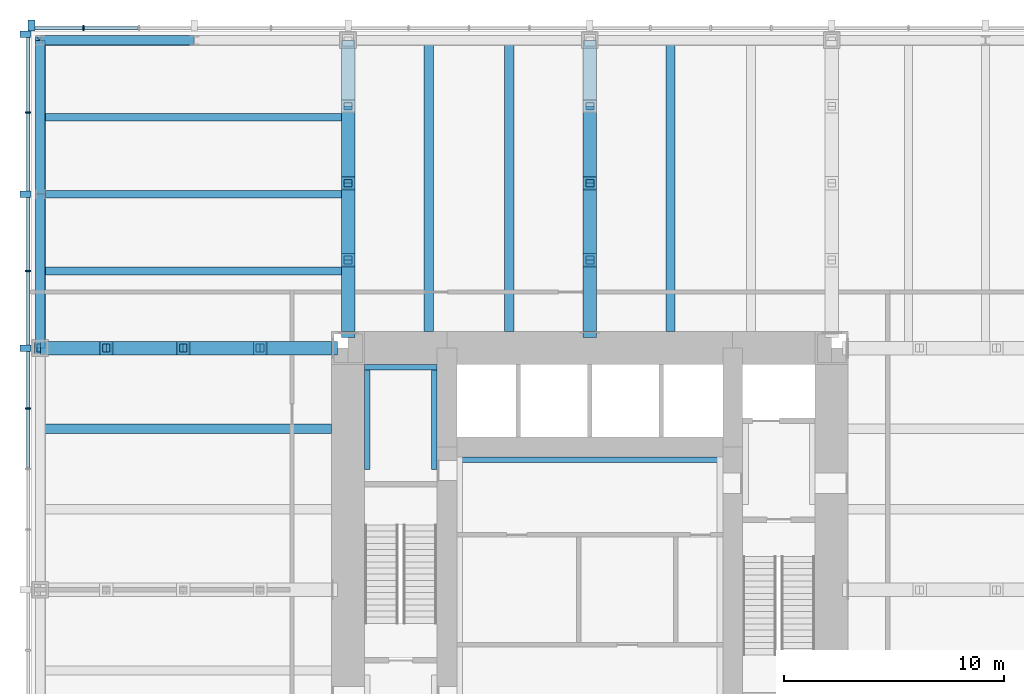
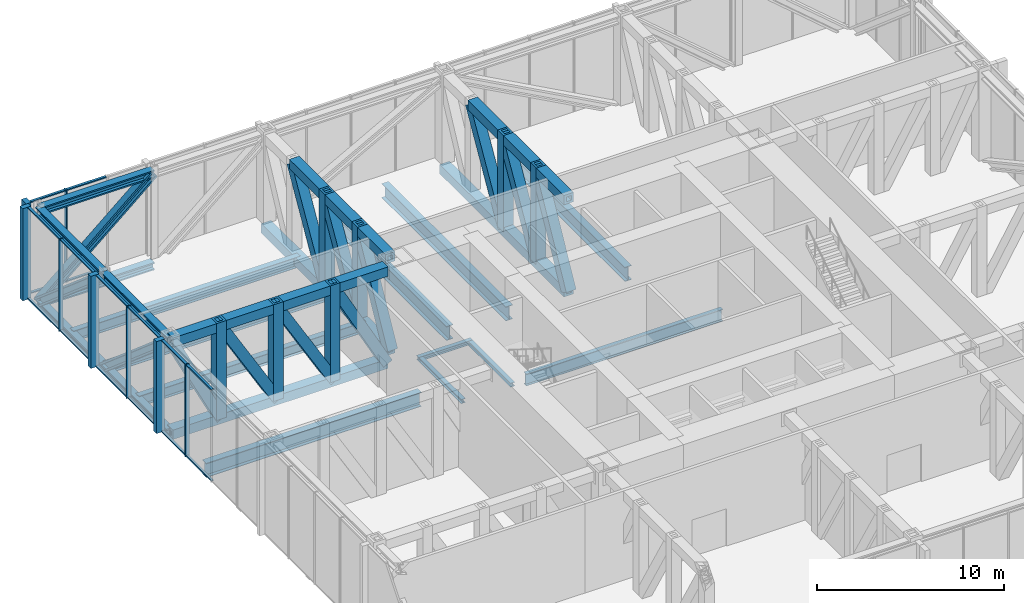
# One storey, part 7 of 13: 44 members, 30 beams, 2 elements without a shape of their own.
"""IFC4 building model written with IfcOpenShell, lengths in metres."""

from ifc_helpers import new_model, si_unit, direction, frame, origin, origin_2d, place, context, subcontext, project, spatial, rectangle, hollow_rectangle, i_section, extrude, material, material_profile, profile_set, type_object, element, aggregate, save


model = new_model("IFC4")

# Units and contexts
model_context = context("Model", 3, precision=1e-05, world=origin(), true_north=direction((0.0, 1.0)))
body_context = subcontext(model_context, "Body", "Model", "MODEL_VIEW")
ifc_project = project(units=[si_unit("LENGTHUNIT", "METRE"), si_unit("AREAUNIT", "SQUARE_METRE"), si_unit("VOLUMEUNIT", "CUBIC_METRE"), si_unit("PLANEANGLEUNIT", "RADIAN"), si_unit("MASSUNIT", "GRAM", prefix="KILO")], contexts=[model_context])

# Site, building, storey
site_placement = place(None, origin())
site = spatial("IfcSite", under=ifc_project, at=site_placement, CompositionType="ELEMENT")
building_placement = place(site_placement, origin())
building = spatial("IfcBuilding", under=site, at=building_placement, Name="Trevanion Tower", CompositionType="ELEMENT")
storey_placement = place(building_placement, frame((0.0, 0.0, 89.800048828125)))
storey = spatial("IfcBuildingStorey", under=building, at=storey_placement, Name="L21", CompositionType="ELEMENT", Elevation=89.800048828125)

# Beams
ifc_material_1 = material(Name="Steel ASTM A992 Grade 50", Category="steel")
ifc_material_profile_1 = material_profile(ifc_material_1, i_section(OverallWidth=0.419189453125, OverallDepth=0.927001953125, WebThickness=0.019287109375, FlangeThickness=0.031982421875, at=origin_2d()), Name="W36X231")
ifc_profile_set_1 = profile_set([ifc_material_profile_1], Name="Steel ASTM A992 Grade 50")
beam_type_1 = type_object("IfcBeamType", Name="B5 W36X231", PredefinedType="BEAM", material=ifc_profile_set_1)
for number, where, z_axis, x_axis, name in (
    (1, (3.666748046875, 11.75, -0.653564453125), (0.0, 1.0, 0.0), (-1.0, 0.0, 0.0), "B5 L21"),
    (2, (-3.666748046875, 11.75, -0.653564453125), (0.0, 1.0, 0.0), (-1.0, 0.0, 0.0), "B5 L21"),
    (3, (-7.333251953125, 11.75, -0.653564453125), (0.0, 1.0, 0.0), (-1.0, 0.0, 0.0), "B5 L21"),
    (4, (-11.75, 7.333251953125, -0.653564453125), (-1.0, 0.0, 0.0), (0.0, -1.0, 0.0), "B5 L21"),
):
    element("IfcBeam", number, at=place(storey_placement, frame(where, z_axis=z_axis, x_axis=x_axis)), inside=storey, type_object=beam_type_1, Name=name, PredefinedType="BEAM", context=body_context, shape_type="SweptSolid", body=[
        extrude(i_section(OverallWidth=0.419189453125, OverallDepth=0.927001953125, WebThickness=0.019287109375, FlangeThickness=0.031982421875, at=origin_2d()), origin(), (0.0, 0.0, 1.0), 13.25),
    ])
ifc_material_2 = material(Name="Steel ASTM A992 Grade 50", Category="steel")
ifc_material_profile_2 = material_profile(ifc_material_2, i_section(OverallWidth=0.355712890625, OverallDepth=0.696044921875, WebThickness=0.015380859375, FlangeThickness=0.024658203125, at=origin_2d()), Name="W27X146")
ifc_profile_set_2 = profile_set([ifc_material_profile_2], Name="Steel ASTM A992 Grade 50")
beam_type_2 = type_object("IfcBeamType", Name="B6 W27X146", PredefinedType="BEAM", material=ifc_profile_set_2)
for number, where, z_axis, x_axis, name in (
    (5, (-11.0, 14.5, -0.5380859375), (-1.0, 0.0, 0.0), (0.0, -1.0, 0.0), "B6 L21"),
    (6, (-11.0, 18.0, -0.5380859375), (-1.0, 0.0, 0.0), (0.0, -1.0, 0.0), "B6 L21"),
    (7, (-11.0, 21.5, -0.5380859375), (-1.0, 0.0, 0.0), (0.0, -1.0, 0.0), "B6 L21"),
):
    element("IfcBeam", number, at=place(storey_placement, frame(where, z_axis=z_axis, x_axis=x_axis)), inside=storey, type_object=beam_type_2, Name=name, PredefinedType="BEAM", context=body_context, shape_type="SweptSolid", body=[
        extrude(i_section(OverallWidth=0.355712890625, OverallDepth=0.696044921875, WebThickness=0.015380859375, FlangeThickness=0.024658203125, at=origin_2d()), origin(), (0.0, 0.0, 1.0), 14.0),
    ])
ifc_material_3 = material(Name="Steel ASTM A992 Grade 50", Category="steel")
ifc_material_profile_3 = material_profile(ifc_material_3, i_section(OverallWidth=0.431884765625, OverallDepth=0.497802734375, WebThickness=0.0556640625, FlangeThickness=0.0888671875, at=origin_2d()), Name="W14X500")
ifc_profile_set_3 = profile_set([ifc_material_profile_3], Name="Steel ASTM A992 Grade 50")
beam_type_3 = type_object("IfcBeamType", Name="BT1-CH W14X500", PredefinedType="BEAM", material=ifc_profile_set_3)
for number, where, z_axis, x_axis, name in (
    (8, (-18.0, 25.0, -0.494873046875), (-1.0, 0.0, 0.0), (0.0, -1.0, 0.0), "BT1 belt truss chord"),
    (9, (-18.0, 25.0, 5.505126953125), (-1.0, 0.0, 0.0), (0.0, -1.0, 0.0), "BT1 belt truss chord"),
    (10, (-25.0, 25.0, -0.494873046875), (0.0, -1.0, 0.0), (1.0, 0.0, 0.0), "BT1 belt truss chord"),
    (11, (-25.0, 25.0, 5.505126953125), (0.0, -1.0, 0.0), (1.0, 0.0, 0.0), "BT1 belt truss chord"),
    (12, (-25.0, 18.0, -0.494873046875), (0.0, -1.0, 0.0), (1.0, 0.0, 0.0), "BT1 belt truss chord"),
    (13, (-25.0, 18.0, 5.505126953125), (0.0, -1.0, 0.0), (1.0, 0.0, 0.0), "BT1 belt truss chord"),
):
    element("IfcBeam", number, at=place(storey_placement, frame(where, z_axis=z_axis, x_axis=x_axis)), inside=storey, type_object=beam_type_3, Name=name, PredefinedType="BEAM", context=body_context, shape_type="SweptSolid", body=[
        extrude(i_section(OverallWidth=0.431884765625, OverallDepth=0.497802734375, WebThickness=0.0556640625, FlangeThickness=0.0888671875, at=origin_2d()), origin(), (0.0, 0.0, 1.0), 7.0),
    ])

# Members
ifc_material_4 = material(Name="Steel ASTM A992 Grade 50", Category="steel")
ifc_material_profile_4 = material_profile(ifc_material_4, i_section(OverallWidth=0.449462890625, OverallDepth=0.548583984375, WebThickness=0.07177734375, FlangeThickness=0.11474609375, at=origin_2d()), Name="W14X665")
ifc_profile_set_4 = profile_set([ifc_material_profile_4], Name="Steel ASTM A992 Grade 50")
member_type_1 = type_object("IfcMemberType", Name="BT1-D W14X665", PredefinedType="BRACE", material=ifc_profile_set_4)
for number, where, z_axis, x_axis, name in (
    (14, (-25.0, 25.0, -0.494873046875), (0.759256602365, 0.0, 0.650791373456), (0.0, 1.0, 0.0), "BT1 belt truss diagonal"),
    (15, (-25.0, 25.0, -0.494873046875), (0.0, -0.759256602365, 0.650791373456), (1.0, 0.0, 0.0), "BT1 belt truss diagonal"),
    (16, (-25.0, 18.0, -0.494873046875), (0.0, -0.759256602365, 0.650791373456), (1.0, 0.0, 0.0), "BT1 belt truss diagonal"),
):
    element("IfcMember", number, at=place(storey_placement, frame(where, z_axis=z_axis, x_axis=x_axis)), inside=storey, type_object=member_type_1, Name=name, PredefinedType="BRACE", context=body_context, shape_type="SweptSolid", body=[
        extrude(i_section(OverallWidth=0.449462890625, OverallDepth=0.548583984375, WebThickness=0.07177734375, FlangeThickness=0.11474609375, at=origin_2d()), origin(), (0.0, 0.0, 1.0), 9.219482421875),
    ])

# Curtain wall, member
ifc_material_5 = material(Name="Aluminium louvres", Category="aluminium")
curtain_wall_type = type_object("IfcCurtainWallType", Name="CWL curtain wall", PredefinedType="USERDEFINED", material=ifc_material_5)
curtain_wall_1_placement = place(storey_placement, origin())
curtain_wall_1 = element("IfcCurtainWall", 17, at=curtain_wall_1_placement, inside=storey, type_object=curtain_wall_type, Name="CWL L21 1", ObjectType="LOUVRE SCREEN", PredefinedType="USERDEFINED")
ifc_material_6 = material(Name="Aluminium extrusion, anodised bronze", Category="aluminium")
ifc_material_profile_5 = material_profile(ifc_material_6, rectangle(XDim=0.074951171875, YDim=0.25, at=origin_2d()), Name="CWL mullion")
ifc_profile_set_5 = profile_set([ifc_material_profile_5], Name="Aluminium extrusion, anodised bronze")
member_type_2 = type_object("IfcMemberType", Name="CWL mullion", PredefinedType="MULLION", material=ifc_profile_set_5)
member_1_placement = place(storey_placement, frame((-23.033203125, 25.550048828125, -0.18994140625), z_axis=(0.0, 0.0, 1.0), x_axis=(-1.0, 0.0, 0.0)))
member_1 = element("IfcMember", 18, at=member_1_placement, type_object=member_type_2, Name="CWL mullion 17", PredefinedType="MULLION", context=body_context, shape_type="SweptSolid", body=[
    extrude(rectangle(XDim=0.074951171875, YDim=0.25, at=origin_2d()), origin(), (0.0, 0.0, 1.0), 6.0),
])

# Curtain wall, members
curtain_wall_2_placement = place(storey_placement, origin())
curtain_wall_2 = element("IfcCurtainWall", 19, at=curtain_wall_2_placement, inside=storey, type_object=curtain_wall_type, Name="CWL L21 2", ObjectType="LOUVRE SCREEN", PredefinedType="USERDEFINED")
member_2_placement = place(storey_placement, frame((-25.550048828125, 21.7099609375, -0.18994140625), z_axis=(0.0, 0.0, 1.0), x_axis=(0.0, -1.0, 0.0)))
member_2 = element("IfcMember", 20, at=member_2_placement, type_object=member_type_2, Name="CWL mullion 2", PredefinedType="MULLION", context=body_context, shape_type="SweptSolid", body=[
    extrude(rectangle(XDim=0.074951171875, YDim=0.25, at=origin_2d()), origin(), (0.0, 0.0, 1.0), 6.0),
])
member_3_placement = place(storey_placement, frame((-25.550048828125, 14.5, -0.18994140625), z_axis=(0.0, 0.0, 1.0), x_axis=(0.0, -1.0, 0.0)))
member_3 = element("IfcMember", 21, at=member_3_placement, type_object=member_type_2, Name="CWL mullion 4", PredefinedType="MULLION", context=body_context, shape_type="SweptSolid", body=[
    extrude(rectangle(XDim=0.074951171875, YDim=0.25, at=origin_2d()), origin(), (0.0, 0.0, 1.0), 6.0),
])
member_4_placement = place(storey_placement, frame((-25.550048828125, 8.25, -0.18994140625), z_axis=(0.0, 0.0, 1.0), x_axis=(0.0, -1.0, 0.0)))
member_4 = element("IfcMember", 22, at=member_4_placement, type_object=member_type_2, Name="CWL mullion 6", PredefinedType="MULLION", context=body_context, shape_type="SweptSolid", body=[
    extrude(rectangle(XDim=0.074951171875, YDim=0.25, at=origin_2d()), origin(), (0.0, 0.0, 1.0), 6.0),
])

# Member
ifc_material_7 = material(Name="Aluminium extrusion, anodised bronze", Category="aluminium")
ifc_material_profile_6 = material_profile(ifc_material_7, rectangle(XDim=0.300048828125, YDim=0.5, at=origin_2d()), Name="CWL pier mullion")
ifc_profile_set_6 = profile_set([ifc_material_profile_6], Name="Aluminium extrusion, anodised bronze")
member_type_3 = type_object("IfcMemberType", Name="CWL pier mullion", PredefinedType="MULLION", material=ifc_profile_set_6)
member_5_placement = place(storey_placement, frame((-25.39990234375, 25.675048828125, -0.18994140625), z_axis=(0.0, 0.0, 1.0), x_axis=(-1.0, 0.0, 0.0)))
member_5 = element("IfcMember", 23, at=member_5_placement, type_object=member_type_3, Name="CWL pier mullion 18", PredefinedType="MULLION", context=body_context, shape_type="SweptSolid", body=[
    extrude(rectangle(XDim=0.300048828125, YDim=0.5, at=origin_2d()), origin(), (0.0, 0.0, 1.0), 6.0),
])

member_6_placement = place(storey_placement, frame((-25.675048828125, 25.27001953125, -0.18994140625), z_axis=(0.0, 0.0, 1.0), x_axis=(0.0, -1.0, 0.0)))
member_6 = element("IfcMember", 24, at=member_6_placement, type_object=member_type_3, Name="CWL pier mullion 1", PredefinedType="MULLION", context=body_context, shape_type="SweptSolid", body=[
    extrude(rectangle(XDim=0.300048828125, YDim=0.5, at=origin_2d()), origin(), (0.0, 0.0, 1.0), 6.0),
])

member_7_placement = place(storey_placement, frame((-25.675048828125, 18.0, -0.18994140625), z_axis=(0.0, 0.0, 1.0), x_axis=(0.0, -1.0, 0.0)))
member_7 = element("IfcMember", 25, at=member_7_placement, type_object=member_type_3, Name="CWL pier mullion 3", PredefinedType="MULLION", context=body_context, shape_type="SweptSolid", body=[
    extrude(rectangle(XDim=0.300048828125, YDim=0.5, at=origin_2d()), origin(), (0.0, 0.0, 1.0), 6.0),
])

member_8_placement = place(storey_placement, frame((-25.675048828125, 11.0, -0.18994140625), z_axis=(0.0, 0.0, 1.0), x_axis=(0.0, -1.0, 0.0)))
member_8 = element("IfcMember", 26, at=member_8_placement, type_object=member_type_3, Name="CWL pier mullion 5", PredefinedType="MULLION", context=body_context, shape_type="SweptSolid", body=[
    extrude(rectangle(XDim=0.300048828125, YDim=0.5, at=origin_2d()), origin(), (0.0, 0.0, 1.0), 6.0),
])

ifc_material_8 = material(Name="Aluminium extrusion, anodised bronze", Category="aluminium")
ifc_material_profile_7 = material_profile(ifc_material_8, rectangle(XDim=0.14990234375, YDim=0.074951171875, at=origin_2d()), Name="CWL transom")
ifc_profile_set_7 = profile_set([ifc_material_profile_7], Name="Aluminium extrusion, anodised bronze")
member_type_4 = type_object("IfcMemberType", Name="CWL transom", PredefinedType="USERDEFINED", material=ifc_profile_set_7)
member_9_placement = place(storey_placement, frame((-20.55419921875, 25.550048828125, -0.152587890625), z_axis=(-1.0, 0.0, 0.0), x_axis=(0.0, -1.0, 0.0)))
member_9 = element("IfcMember", 27, at=member_9_placement, type_object=member_type_4, Name="CWL transom 16.1", ObjectType="TRANSOM", PredefinedType="USERDEFINED", context=body_context, shape_type="SweptSolid", body=[
    extrude(rectangle(XDim=0.14990234375, YDim=0.074951171875, at=origin_2d()), origin(), (0.0, 0.0, 1.0), 2.441650390625),
])

member_10_placement = place(storey_placement, frame((-20.55419921875, 25.550048828125, 5.7724609375), z_axis=(-1.0, 0.0, 0.0), x_axis=(0.0, -1.0, 0.0)))
member_10 = element("IfcMember", 28, at=member_10_placement, type_object=member_type_4, Name="CWL transom 16.2", ObjectType="TRANSOM", PredefinedType="USERDEFINED", context=body_context, shape_type="SweptSolid", body=[
    extrude(rectangle(XDim=0.14990234375, YDim=0.074951171875, at=origin_2d()), origin(), (0.0, 0.0, 1.0), 2.441650390625),
])

member_11_placement = place(storey_placement, frame((-23.07080078125, 25.550048828125, -0.152587890625), z_axis=(-1.0, 0.0, 0.0), x_axis=(0.0, -1.0, 0.0)))
member_11 = element("IfcMember", 29, at=member_11_placement, type_object=member_type_4, Name="CWL transom 17.1", ObjectType="TRANSOM", PredefinedType="USERDEFINED", context=body_context, shape_type="SweptSolid", body=[
    extrude(rectangle(XDim=0.14990234375, YDim=0.074951171875, at=origin_2d()), origin(), (0.0, 0.0, 1.0), 2.17919921875),
])

member_12_placement = place(storey_placement, frame((-23.07080078125, 25.550048828125, 5.7724609375), z_axis=(-1.0, 0.0, 0.0), x_axis=(0.0, -1.0, 0.0)))
member_12 = element("IfcMember", 30, at=member_12_placement, type_object=member_type_4, Name="CWL transom 17.2", ObjectType="TRANSOM", PredefinedType="USERDEFINED", context=body_context, shape_type="SweptSolid", body=[
    extrude(rectangle(XDim=0.14990234375, YDim=0.074951171875, at=origin_2d()), origin(), (0.0, 0.0, 1.0), 2.17919921875),
])

aggregate(curtain_wall_1, [member_1, member_5, member_9, member_10, member_11, member_12])

member_13_placement = place(storey_placement, frame((-25.550048828125, 25.1201171875, -0.152587890625), z_axis=(0.0, -1.0, 0.0), x_axis=(1.0, 0.0, 0.0)))
member_13 = element("IfcMember", 31, at=member_13_placement, type_object=member_type_4, Name="CWL transom 1.1", ObjectType="TRANSOM", PredefinedType="USERDEFINED", context=body_context, shape_type="SweptSolid", body=[
    extrude(rectangle(XDim=0.14990234375, YDim=0.074951171875, at=origin_2d()), origin(), (0.0, 0.0, 1.0), 3.37255859375),
])

member_14_placement = place(storey_placement, frame((-25.550048828125, 25.1201171875, 5.7724609375), z_axis=(0.0, -1.0, 0.0), x_axis=(1.0, 0.0, 0.0)))
member_14 = element("IfcMember", 32, at=member_14_placement, type_object=member_type_4, Name="CWL transom 1.2", ObjectType="TRANSOM", PredefinedType="USERDEFINED", context=body_context, shape_type="SweptSolid", body=[
    extrude(rectangle(XDim=0.14990234375, YDim=0.074951171875, at=origin_2d()), origin(), (0.0, 0.0, 1.0), 3.37255859375),
])

member_15_placement = place(storey_placement, frame((-25.550048828125, 21.672607421875, -0.152587890625), z_axis=(0.0, -1.0, 0.0), x_axis=(1.0, 0.0, 0.0)))
member_15 = element("IfcMember", 33, at=member_15_placement, type_object=member_type_4, Name="CWL transom 2.1", ObjectType="TRANSOM", PredefinedType="USERDEFINED", context=body_context, shape_type="SweptSolid", body=[
    extrude(rectangle(XDim=0.14990234375, YDim=0.074951171875, at=origin_2d()), origin(), (0.0, 0.0, 1.0), 3.522705078125),
])

member_16_placement = place(storey_placement, frame((-25.550048828125, 21.672607421875, 5.7724609375), z_axis=(0.0, -1.0, 0.0), x_axis=(1.0, 0.0, 0.0)))
member_16 = element("IfcMember", 34, at=member_16_placement, type_object=member_type_4, Name="CWL transom 2.2", ObjectType="TRANSOM", PredefinedType="USERDEFINED", context=body_context, shape_type="SweptSolid", body=[
    extrude(rectangle(XDim=0.14990234375, YDim=0.074951171875, at=origin_2d()), origin(), (0.0, 0.0, 1.0), 3.522705078125),
])

member_17_placement = place(storey_placement, frame((-25.550048828125, 17.85009765625, -0.152587890625), z_axis=(0.0, -1.0, 0.0), x_axis=(1.0, 0.0, 0.0)))
member_17 = element("IfcMember", 35, at=member_17_placement, type_object=member_type_4, Name="CWL transom 3.1", ObjectType="TRANSOM", PredefinedType="USERDEFINED", context=body_context, shape_type="SweptSolid", body=[
    extrude(rectangle(XDim=0.14990234375, YDim=0.074951171875, at=origin_2d()), origin(), (0.0, 0.0, 1.0), 3.3125),
])

member_18_placement = place(storey_placement, frame((-25.550048828125, 17.85009765625, 5.7724609375), z_axis=(0.0, -1.0, 0.0), x_axis=(1.0, 0.0, 0.0)))
member_18 = element("IfcMember", 36, at=member_18_placement, type_object=member_type_4, Name="CWL transom 3.2", ObjectType="TRANSOM", PredefinedType="USERDEFINED", context=body_context, shape_type="SweptSolid", body=[
    extrude(rectangle(XDim=0.14990234375, YDim=0.074951171875, at=origin_2d()), origin(), (0.0, 0.0, 1.0), 3.3125),
])

member_19_placement = place(storey_placement, frame((-25.550048828125, 14.46240234375, -0.152587890625), z_axis=(0.0, -1.0, 0.0), x_axis=(1.0, 0.0, 0.0)))
member_19 = element("IfcMember", 37, at=member_19_placement, type_object=member_type_4, Name="CWL transom 4.1", ObjectType="TRANSOM", PredefinedType="USERDEFINED", context=body_context, shape_type="SweptSolid", body=[
    extrude(rectangle(XDim=0.14990234375, YDim=0.074951171875, at=origin_2d()), origin(), (0.0, 0.0, 1.0), 3.3125),
])

member_20_placement = place(storey_placement, frame((-25.550048828125, 14.46240234375, 5.7724609375), z_axis=(0.0, -1.0, 0.0), x_axis=(1.0, 0.0, 0.0)))
member_20 = element("IfcMember", 38, at=member_20_placement, type_object=member_type_4, Name="CWL transom 4.2", ObjectType="TRANSOM", PredefinedType="USERDEFINED", context=body_context, shape_type="SweptSolid", body=[
    extrude(rectangle(XDim=0.14990234375, YDim=0.074951171875, at=origin_2d()), origin(), (0.0, 0.0, 1.0), 3.3125),
])

member_21_placement = place(storey_placement, frame((-25.550048828125, 10.85009765625, -0.152587890625), z_axis=(0.0, -1.0, 0.0), x_axis=(1.0, 0.0, 0.0)))
member_21 = element("IfcMember", 39, at=member_21_placement, type_object=member_type_4, Name="CWL transom 5.1", ObjectType="TRANSOM", PredefinedType="USERDEFINED", context=body_context, shape_type="SweptSolid", body=[
    extrude(rectangle(XDim=0.14990234375, YDim=0.074951171875, at=origin_2d()), origin(), (0.0, 0.0, 1.0), 2.5625),
])

member_22_placement = place(storey_placement, frame((-25.550048828125, 10.85009765625, 5.7724609375), z_axis=(0.0, -1.0, 0.0), x_axis=(1.0, 0.0, 0.0)))
member_22 = element("IfcMember", 40, at=member_22_placement, type_object=member_type_4, Name="CWL transom 5.2", ObjectType="TRANSOM", PredefinedType="USERDEFINED", context=body_context, shape_type="SweptSolid", body=[
    extrude(rectangle(XDim=0.14990234375, YDim=0.074951171875, at=origin_2d()), origin(), (0.0, 0.0, 1.0), 2.5625),
])

member_23_placement = place(storey_placement, frame((-25.550048828125, 8.21240234375, -0.152587890625), z_axis=(0.0, -1.0, 0.0), x_axis=(1.0, 0.0, 0.0)))
member_23 = element("IfcMember", 41, at=member_23_placement, type_object=member_type_4, Name="CWL transom 6.1", ObjectType="TRANSOM", PredefinedType="USERDEFINED", context=body_context, shape_type="SweptSolid", body=[
    extrude(rectangle(XDim=0.14990234375, YDim=0.074951171875, at=origin_2d()), origin(), (0.0, 0.0, 1.0), 2.6748046875),
])

member_24_placement = place(storey_placement, frame((-25.550048828125, 8.21240234375, 5.7724609375), z_axis=(0.0, -1.0, 0.0), x_axis=(1.0, 0.0, 0.0)))
member_24 = element("IfcMember", 42, at=member_24_placement, type_object=member_type_4, Name="CWL transom 6.2", ObjectType="TRANSOM", PredefinedType="USERDEFINED", context=body_context, shape_type="SweptSolid", body=[
    extrude(rectangle(XDim=0.14990234375, YDim=0.074951171875, at=origin_2d()), origin(), (0.0, 0.0, 1.0), 2.6748046875),
])

aggregate(curtain_wall_2, [member_6, member_2, member_7, member_3, member_8, member_4, member_13, member_14, member_15, member_16, member_17, member_18, member_19, member_20, member_21, member_22, member_23, member_24])

# Beams
ifc_material_9 = material(Name="Steel ASTM A992 Grade 50", Category="steel")
ifc_material_profile_8 = material_profile(ifc_material_9, i_section(OverallWidth=0.256591796875, OverallDepth=0.26416015625, WebThickness=0.011962890625, FlangeThickness=0.01953125, at=origin_2d()), Name="W10X68")
ifc_profile_set_8 = profile_set([ifc_material_profile_8], Name="Steel ASTM A992 Grade 50")
beam_type_4 = type_object("IfcBeamType", Name="LB1 W10X68", PredefinedType="BEAM", material=ifc_profile_set_8)
for number, where, z_axis, x_axis, name in (
    (43, (-10.12158203125, 5.47509765625, -0.33203125), (0.0, 1.0, 0.0), (-1.0, 0.0, 0.0), "LB1 L21"),
    (44, (-7.078369140625, 5.47509765625, -0.33203125), (0.0, 1.0, 0.0), (-1.0, 0.0, 0.0), "LB1 L21"),
):
    element("IfcBeam", number, at=place(storey_placement, frame(where, z_axis=z_axis, x_axis=x_axis)), inside=storey, type_object=beam_type_4, Name=name, PredefinedType="BEAM", context=body_context, shape_type="SweptSolid", body=[
        extrude(i_section(OverallWidth=0.256591796875, OverallDepth=0.26416015625, WebThickness=0.011962890625, FlangeThickness=0.01953125, at=origin_2d()), origin(), (0.0, 0.0, 1.0), 4.77490234375),
    ])
beam_1_placement = place(storey_placement, frame((-10.25, 10.12158203125, -0.33203125), z_axis=(1.0, 0.0, 0.0), x_axis=(0.0, 1.0, 0.0)))
element("IfcBeam", 45, at=beam_1_placement, inside=storey, type_object=beam_type_4, Name="LB1 L21", PredefinedType="BEAM", context=body_context, shape_type="SweptSolid", body=[
    extrude(i_section(OverallWidth=0.256591796875, OverallDepth=0.26416015625, WebThickness=0.011962890625, FlangeThickness=0.01953125, at=origin_2d()), origin(), (0.0, 0.0, 1.0), 3.300048828125),
])
ifc_material_10 = material(Name="Steel ASTM A992 Grade 50", Category="steel")
ifc_material_profile_9 = material_profile(ifc_material_10, i_section(OverallWidth=0.2666015625, OverallDepth=0.76953125, WebThickness=0.015625, FlangeThickness=0.025390625, at=origin_2d()), Name="W30X132")
ifc_profile_set_9 = profile_set([ifc_material_profile_9], Name="Steel ASTM A992 Grade 50")
beam_type_5 = type_object("IfcBeamType", Name="LB3 W30X132", PredefinedType="BEAM", material=ifc_profile_set_9)
beam_2_placement = place(storey_placement, frame((-6.050048828125, 5.91650390625, -0.5849609375), z_axis=(1.0, 0.0, 0.0), x_axis=(0.0, 1.0, 0.0)))
element("IfcBeam", 46, at=beam_2_placement, inside=storey, type_object=beam_type_5, Name="LB3 L21", PredefinedType="BEAM", context=body_context, shape_type="SweptSolid", body=[
    extrude(i_section(OverallWidth=0.2666015625, OverallDepth=0.76953125, WebThickness=0.015625, FlangeThickness=0.025390625, at=origin_2d()), origin(), (0.0, 0.0, 1.0), 12.10009765625),
])
ifc_material_11 = material(Name="Steel ASTM A588 Grade 50", Category="steel")
ifc_material_profile_10 = material_profile(ifc_material_11, hollow_rectangle(XDim=0.609619140625, YDim=0.609619140625, WallThickness=0.15234375, at=origin_2d()), Name="BOX24X24X6")
ifc_profile_set_10 = profile_set([ifc_material_profile_10], Name="Steel ASTM A588 Grade 50")
beam_type_6 = type_object("IfcBeamType", Name="OT1-CH BOX24X24X6", PredefinedType="BEAM", material=ifc_profile_set_10)
beam_3_placement = place(storey_placement, frame((-11.75, 11.0, -0.494873046875), z_axis=(-1.0, 0.0, 0.0), x_axis=(0.0, -1.0, 0.0)))
element("IfcBeam", 47, at=beam_3_placement, inside=storey, type_object=beam_type_6, Name="OT1 3/K outrigger and transfer truss chord", PredefinedType="BEAM", context=body_context, shape_type="SweptSolid", body=[
    extrude(hollow_rectangle(XDim=0.609619140625, YDim=0.609619140625, WallThickness=0.15234375, at=origin_2d()), origin(), (0.0, 0.0, 1.0), 13.25),
])
beam_4_placement = place(storey_placement, frame((-11.75, 11.0, 5.505126953125), z_axis=(-1.0, 0.0, 0.0), x_axis=(0.0, -1.0, 0.0)))
element("IfcBeam", 48, at=beam_4_placement, inside=storey, type_object=beam_type_6, Name="OT1 3/K outrigger and transfer truss chord", PredefinedType="BEAM", context=body_context, shape_type="SweptSolid", body=[
    extrude(hollow_rectangle(XDim=0.609619140625, YDim=0.609619140625, WallThickness=0.15234375, at=origin_2d()), origin(), (0.0, 0.0, 1.0), 3.25),
])
for number, where, z_axis, x_axis, name in (
    (49, (-15.0, 11.0, 5.505126953125), (-1.0, 0.0, 0.0), (0.0, -1.0, 0.0), "OT1 3/K outrigger and transfer truss chord"),
    (50, (-18.5, 11.0, 5.505126953125), (-1.0, 0.0, 0.0), (0.0, -1.0, 0.0), "OT1 3/K outrigger and transfer truss chord"),
):
    element("IfcBeam", number, at=place(storey_placement, frame(where, z_axis=z_axis, x_axis=x_axis)), inside=storey, type_object=beam_type_6, Name=name, PredefinedType="BEAM", context=body_context, shape_type="SweptSolid", body=[
        extrude(hollow_rectangle(XDim=0.609619140625, YDim=0.609619140625, WallThickness=0.15234375, at=origin_2d()), origin(), (0.0, 0.0, 1.0), 3.5),
    ])
beam_5_placement = place(storey_placement, frame((-22.0, 11.0, 5.505126953125), z_axis=(-1.0, 0.0, 0.0), x_axis=(0.0, -1.0, 0.0)))
element("IfcBeam", 51, at=beam_5_placement, inside=storey, type_object=beam_type_6, Name="OT1 3/K outrigger and transfer truss chord", PredefinedType="BEAM", context=body_context, shape_type="SweptSolid", body=[
    extrude(hollow_rectangle(XDim=0.609619140625, YDim=0.609619140625, WallThickness=0.15234375, at=origin_2d()), origin(), (0.0, 0.0, 1.0), 3.0),
])
beam_6_placement = place(storey_placement, frame((0.0, 11.75, -0.494873046875), z_axis=(0.0, 1.0, 0.0), x_axis=(-1.0, 0.0, 0.0)))
element("IfcBeam", 52, at=beam_6_placement, inside=storey, type_object=beam_type_6, Name="OT1 10/Q outrigger and transfer truss chord", PredefinedType="BEAM", context=body_context, shape_type="SweptSolid", body=[
    extrude(hollow_rectangle(XDim=0.609619140625, YDim=0.609619140625, WallThickness=0.15234375, at=origin_2d()), origin(), (0.0, 0.0, 1.0), 13.25),
])
beam_7_placement = place(storey_placement, frame((0.0, 11.75, 5.505126953125), z_axis=(0.0, 1.0, 0.0), x_axis=(-1.0, 0.0, 0.0)))
element("IfcBeam", 53, at=beam_7_placement, inside=storey, type_object=beam_type_6, Name="OT1 10/Q outrigger and transfer truss chord", PredefinedType="BEAM", context=body_context, shape_type="SweptSolid", body=[
    extrude(hollow_rectangle(XDim=0.609619140625, YDim=0.609619140625, WallThickness=0.15234375, at=origin_2d()), origin(), (0.0, 0.0, 1.0), 3.25),
])
for number, where, z_axis, x_axis, name in (
    (54, (0.0, 15.0, 5.505126953125), (0.0, 1.0, 0.0), (-1.0, 0.0, 0.0), "OT1 10/Q outrigger and transfer truss chord"),
    (55, (0.0, 18.5, 5.505126953125), (0.0, 1.0, 0.0), (-1.0, 0.0, 0.0), "OT1 10/Q outrigger and transfer truss chord"),
):
    element("IfcBeam", number, at=place(storey_placement, frame(where, z_axis=z_axis, x_axis=x_axis)), inside=storey, type_object=beam_type_6, Name=name, PredefinedType="BEAM", context=body_context, shape_type="SweptSolid", body=[
        extrude(hollow_rectangle(XDim=0.609619140625, YDim=0.609619140625, WallThickness=0.15234375, at=origin_2d()), origin(), (0.0, 0.0, 1.0), 3.5),
    ])
beam_8_placement = place(storey_placement, frame((-11.0, 11.75, -0.494873046875), z_axis=(0.0, 1.0, 0.0), x_axis=(-1.0, 0.0, 0.0)))
element("IfcBeam", 56, at=beam_8_placement, inside=storey, type_object=beam_type_6, Name="OT1 8/Q outrigger and transfer truss chord", PredefinedType="BEAM", context=body_context, shape_type="SweptSolid", body=[
    extrude(hollow_rectangle(XDim=0.609619140625, YDim=0.609619140625, WallThickness=0.15234375, at=origin_2d()), origin(), (0.0, 0.0, 1.0), 13.25),
])
beam_9_placement = place(storey_placement, frame((-11.0, 11.75, 5.505126953125), z_axis=(0.0, 1.0, 0.0), x_axis=(-1.0, 0.0, 0.0)))
element("IfcBeam", 57, at=beam_9_placement, inside=storey, type_object=beam_type_6, Name="OT1 8/Q outrigger and transfer truss chord", PredefinedType="BEAM", context=body_context, shape_type="SweptSolid", body=[
    extrude(hollow_rectangle(XDim=0.609619140625, YDim=0.609619140625, WallThickness=0.15234375, at=origin_2d()), origin(), (0.0, 0.0, 1.0), 3.25),
])
for number, where, z_axis, x_axis, name in (
    (58, (-11.0, 15.0, 5.505126953125), (0.0, 1.0, 0.0), (-1.0, 0.0, 0.0), "OT1 8/Q outrigger and transfer truss chord"),
    (59, (-11.0, 18.5, 5.505126953125), (0.0, 1.0, 0.0), (-1.0, 0.0, 0.0), "OT1 8/Q outrigger and transfer truss chord"),
):
    element("IfcBeam", number, at=place(storey_placement, frame(where, z_axis=z_axis, x_axis=x_axis)), inside=storey, type_object=beam_type_6, Name=name, PredefinedType="BEAM", context=body_context, shape_type="SweptSolid", body=[
        extrude(hollow_rectangle(XDim=0.609619140625, YDim=0.609619140625, WallThickness=0.15234375, at=origin_2d()), origin(), (0.0, 0.0, 1.0), 3.5),
    ])

# Members
ifc_material_12 = material(Name="Steel ASTM A588 Grade 50", Category="steel")
ifc_material_profile_11 = material_profile(ifc_material_12, hollow_rectangle(XDim=0.609619140625, YDim=0.609619140625, WallThickness=0.126953125, at=origin_2d()), Name="BOX24X24X5")
ifc_profile_set_11 = profile_set([ifc_material_profile_11], Name="Steel ASTM A588 Grade 50")
member_type_5 = type_object("IfcMemberType", Name="OT1-D BOX24X24X5", PredefinedType="BRACE", material=ifc_profile_set_11)
member_25_placement = place(storey_placement, frame((-11.75, 11.0, -0.494873046875), z_axis=(-0.476283148541, 0.0, 0.879291966537), x_axis=(0.0, -1.0, 0.0)))
element("IfcMember", 60, at=member_25_placement, inside=storey, type_object=member_type_5, Name="OT1 3/K outrigger and transfer truss diagonal", PredefinedType="BRACE", context=body_context, shape_type="SweptSolid", body=[
    extrude(hollow_rectangle(XDim=0.609619140625, YDim=0.609619140625, WallThickness=0.126953125, at=origin_2d()), origin(), (0.0, 0.0, 1.0), 6.82373046875),
])
for number, where, z_axis, x_axis, name in (
    (61, (-15.0, 11.0, -0.494873046875), (-0.503871025524, 0.0, 0.863778900898), (0.0, -1.0, 0.0), "OT1 3/K outrigger and transfer truss diagonal"),
    (62, (-18.5, 11.0, -0.494873046875), (-0.503871025524, 0.0, 0.863778900898), (0.0, -1.0, 0.0), "OT1 3/K outrigger and transfer truss diagonal"),
):
    element("IfcMember", number, at=place(storey_placement, frame(where, z_axis=z_axis, x_axis=x_axis)), inside=storey, type_object=member_type_5, Name=name, PredefinedType="BRACE", context=body_context, shape_type="SweptSolid", body=[
        extrude(hollow_rectangle(XDim=0.609619140625, YDim=0.609619140625, WallThickness=0.126953125, at=origin_2d()), origin(), (0.0, 0.0, 1.0), 6.9462890625),
    ])
member_26_placement = place(storey_placement, frame((-22.0, 11.0, -0.494873046875), z_axis=(-0.4472135955, 0.0, 0.894427191), x_axis=(0.0, -1.0, 0.0)))
element("IfcMember", 63, at=member_26_placement, inside=storey, type_object=member_type_5, Name="OT1 3/K outrigger and transfer truss diagonal", PredefinedType="BRACE", context=body_context, shape_type="SweptSolid", body=[
    extrude(hollow_rectangle(XDim=0.609619140625, YDim=0.609619140625, WallThickness=0.126953125, at=origin_2d()), origin(), (0.0, 0.0, 1.0), 6.708251953125),
])
member_27_placement = place(storey_placement, frame((0.0, 11.75, -0.494873046875), z_axis=(0.0, 0.476283148541, 0.879291966537), x_axis=(-1.0, 0.0, 0.0)))
element("IfcMember", 64, at=member_27_placement, inside=storey, type_object=member_type_5, Name="OT1 10/Q outrigger and transfer truss diagonal", PredefinedType="BRACE", context=body_context, shape_type="SweptSolid", body=[
    extrude(hollow_rectangle(XDim=0.609619140625, YDim=0.609619140625, WallThickness=0.126953125, at=origin_2d()), origin(), (0.0, 0.0, 1.0), 6.82373046875),
])
for number, where, z_axis, x_axis, name in (
    (65, (0.0, 15.0, -0.494873046875), (0.0, 0.503871025524, 0.863778900898), (-1.0, 0.0, 0.0), "OT1 10/Q outrigger and transfer truss diagonal"),
    (66, (0.0, 18.5, -0.494873046875), (0.0, 0.503871025524, 0.863778900898), (-1.0, 0.0, 0.0), "OT1 10/Q outrigger and transfer truss diagonal"),
):
    element("IfcMember", number, at=place(storey_placement, frame(where, z_axis=z_axis, x_axis=x_axis)), inside=storey, type_object=member_type_5, Name=name, PredefinedType="BRACE", context=body_context, shape_type="SweptSolid", body=[
        extrude(hollow_rectangle(XDim=0.609619140625, YDim=0.609619140625, WallThickness=0.126953125, at=origin_2d()), origin(), (0.0, 0.0, 1.0), 6.9462890625),
    ])
member_28_placement = place(storey_placement, frame((-11.0, 11.75, -0.494873046875), z_axis=(0.0, 0.476283148541, 0.879291966537), x_axis=(-1.0, 0.0, 0.0)))
element("IfcMember", 67, at=member_28_placement, inside=storey, type_object=member_type_5, Name="OT1 8/Q outrigger and transfer truss diagonal", PredefinedType="BRACE", context=body_context, shape_type="SweptSolid", body=[
    extrude(hollow_rectangle(XDim=0.609619140625, YDim=0.609619140625, WallThickness=0.126953125, at=origin_2d()), origin(), (0.0, 0.0, 1.0), 6.82373046875),
])
for number, where, z_axis, x_axis, name in (
    (68, (-11.0, 15.0, -0.494873046875), (0.0, 0.503871025524, 0.863778900898), (-1.0, 0.0, 0.0), "OT1 8/Q outrigger and transfer truss diagonal"),
    (69, (-11.0, 18.5, -0.494873046875), (0.0, 0.503871025524, 0.863778900898), (-1.0, 0.0, 0.0), "OT1 8/Q outrigger and transfer truss diagonal"),
):
    element("IfcMember", number, at=place(storey_placement, frame(where, z_axis=z_axis, x_axis=x_axis)), inside=storey, type_object=member_type_5, Name=name, PredefinedType="BRACE", context=body_context, shape_type="SweptSolid", body=[
        extrude(hollow_rectangle(XDim=0.609619140625, YDim=0.609619140625, WallThickness=0.126953125, at=origin_2d()), origin(), (0.0, 0.0, 1.0), 6.9462890625),
    ])
ifc_material_13 = material(Name="Steel ASTM A588 Grade 50", Category="steel")
ifc_material_profile_12 = material_profile(ifc_material_13, hollow_rectangle(XDim=0.609619140625, YDim=0.609619140625, WallThickness=0.126953125, at=origin_2d()), Name="BOX24X24X5")
ifc_profile_set_12 = profile_set([ifc_material_profile_12], Name="Steel ASTM A588 Grade 50")
member_type_6 = type_object("IfcMemberType", Name="OT1-V BOX24X24X5", PredefinedType="POST", material=ifc_profile_set_12)
for number, where, z_axis, x_axis, name in (
    (70, (-15.0, 11.0, -0.494873046875), (0.0, 0.0, 1.0), (1.0, 0.0, 0.0), "OT1 3/K outrigger and transfer truss vertical"),
    (71, (-18.5, 11.0, -0.494873046875), (0.0, 0.0, 1.0), (1.0, 0.0, 0.0), "OT1 3/K outrigger and transfer truss vertical"),
    (72, (-22.0, 11.0, -0.494873046875), (0.0, 0.0, 1.0), (1.0, 0.0, 0.0), "OT1 3/K outrigger and transfer truss vertical"),
    (73, (0.0, 15.0, -0.494873046875), (0.0, 0.0, 1.0), (1.0, 0.0, 0.0), "OT1 10/Q outrigger and transfer truss vertical"),
    (74, (0.0, 18.5, -0.494873046875), (0.0, 0.0, 1.0), (1.0, 0.0, 0.0), "OT1 10/Q outrigger and transfer truss vertical"),
    (75, (-11.0, 15.0, -0.494873046875), (0.0, 0.0, 1.0), (1.0, 0.0, 0.0), "OT1 8/Q outrigger and transfer truss vertical"),
    (76, (-11.0, 18.5, -0.494873046875), (0.0, 0.0, 1.0), (1.0, 0.0, 0.0), "OT1 8/Q outrigger and transfer truss vertical"),
):
    element("IfcMember", number, at=place(storey_placement, frame(where, z_axis=z_axis, x_axis=x_axis)), inside=storey, type_object=member_type_6, Name=name, PredefinedType="POST", context=body_context, shape_type="SweptSolid", body=[
        extrude(hollow_rectangle(XDim=0.609619140625, YDim=0.609619140625, WallThickness=0.126953125, at=origin_2d()), origin(), (0.0, 0.0, 1.0), 6.304931640625),
    ])

save(model, "model.ifc")
